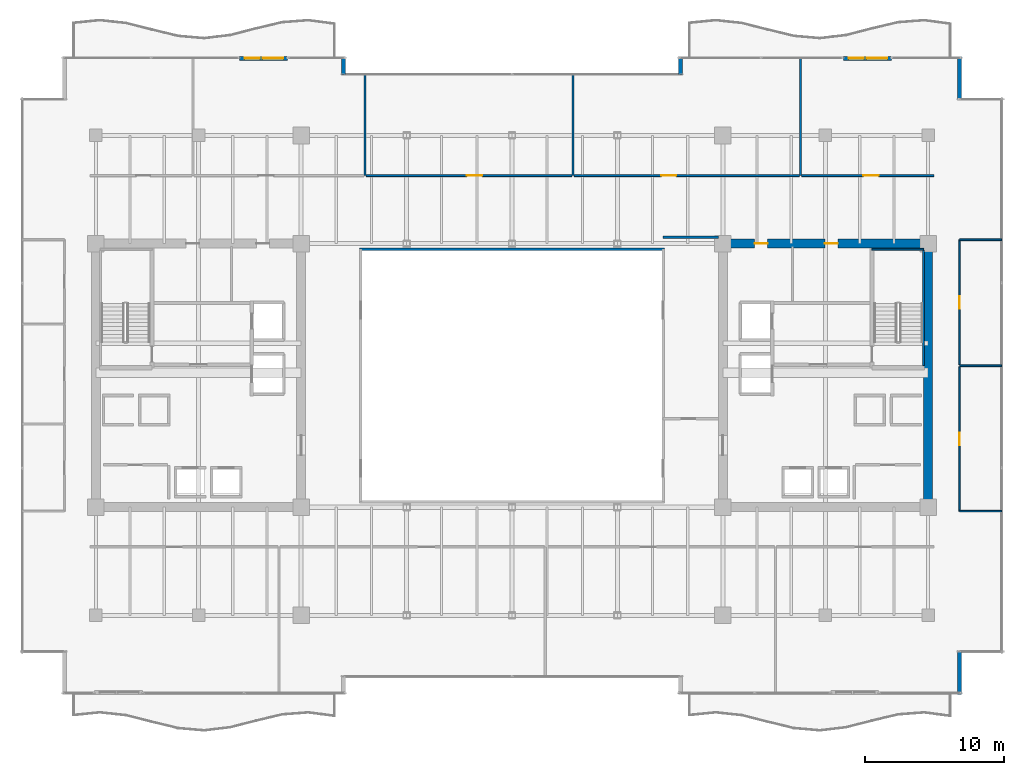
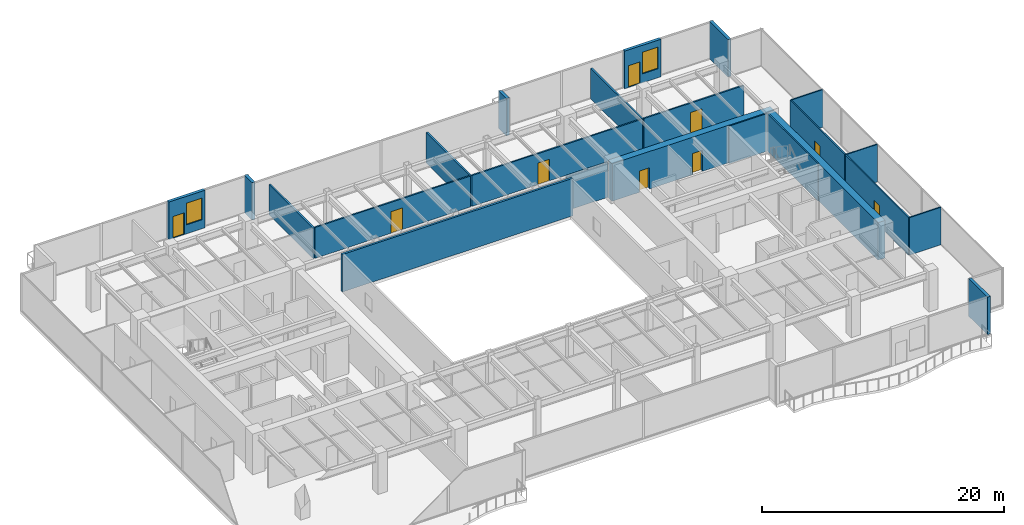
# One storey, part 26 of 30: 23 walls, 9 doors, 2 windows, 11 openings.
"""IFC4 building model written with IfcOpenShell, lengths in metres."""

from ifc_helpers import new_model, si_unit, direction, frame, frame_2d, origin, place, context, subcontext, project, spatial, rectangle, extrude, source, transform, mapped, material, layer, layer_set, type_object, type_shapes, element, fill, save


model = new_model("IFC4")

# Units and contexts
model_context = context("Model", 3, precision=1e-05, world=origin(), true_north=direction((0.0, 1.0)))
body_context = subcontext(model_context, "Body", "Model", "MODEL_VIEW")
ifc_project = project(units=[si_unit("LENGTHUNIT", "METRE"), si_unit("AREAUNIT", "SQUARE_METRE"), si_unit("VOLUMEUNIT", "CUBIC_METRE"), si_unit("PLANEANGLEUNIT", "RADIAN"), si_unit("MASSUNIT", "GRAM", prefix="KILO")], contexts=[model_context])

# Site, building, storey
site_placement = place(None, origin())
site = spatial("IfcSite", under=ifc_project, at=site_placement, CompositionType="ELEMENT")
building_placement = place(site_placement, origin())
building = spatial("IfcBuilding", under=site, at=building_placement, Name="Haelvirn Gate Laboratories", CompositionType="ELEMENT")
storey_placement = place(building_placement, frame((0.0, 0.0, 113.300048828125)))
storey = spatial("IfcBuildingStorey", under=building, at=storey_placement, Name="L27", CompositionType="ELEMENT", Elevation=113.300048828125)

# Wall, openings, door, window
ifc_material_1 = material(Name="Thermally-broken bronze aluminium rainscreen & mineral wool", Category="aluminium")
ifc_layer_1 = layer(ifc_material_1, 0.280029296875, Name="EW-TERR-280")
ifc_layer_set_1 = layer_set([ifc_layer_1], Name="Thermally-broken bronze aluminium rainscreen & mineral wool")
wall_type_1 = type_object("IfcWallType", Name="EW-TERR-280", PredefinedType="STANDARD", material=ifc_layer_set_1)
wall_1_placement = place(storey_placement, frame((17.7470703125, 47.159912109375, 0.0), z_axis=(0.0, 0.0, 1.0), x_axis=(1.0, 0.0, 0.0)))
wall_1 = element("IfcWall", 1, at=wall_1_placement, inside=storey, type_object=wall_type_1, Name="L27 Terrace Access Wall WB-WL-N", PredefinedType="STANDARD", context=body_context, shape_type="SweptSolid", body=[
    extrude(rectangle(XDim=3.455810546875, YDim=0.280029296875, at=frame_2d((1.72802734375, 0.0))), origin(), (0.0, 0.0, 1.0), 3.7900390625),
])
opening_1_placement = place(wall_1_placement, frame((0.3779296875, 0.0, 0.0)))
opening_1 = element("IfcOpeningElement", 2, at=opening_1_placement, cuts=wall_1, Name="Opening TD1", PredefinedType="OPENING", context=body_context, shape_type="SweptSolid", body=[
    extrude(rectangle(XDim=1.10009765625, YDim=2.199951171875, at=frame_2d((0.550048828125, 1.10009765625))), frame((0.0, 0.14990234375, 0.0), z_axis=(0.0, -1.0, 0.0), x_axis=(1.0, 0.0, 0.0)), (0.0, 0.0, 1.0), 0.300048828125),
])
opening_2_placement = place(wall_1_placement, frame((1.677978515625, 0.0, 0.89990234375)))
opening_2 = element("IfcOpeningElement", 3, at=opening_2_placement, cuts=wall_1, Name="Opening W3", PredefinedType="OPENING", context=body_context, shape_type="SweptSolid", body=[
    extrude(rectangle(XDim=1.5, YDim=2.199951171875, at=frame_2d((0.75, 1.10009765625))), frame((0.0, 0.14990234375, 0.0), z_axis=(0.0, -1.0, 0.0), x_axis=(1.0, 0.0, 0.0)), (0.0, 0.0, 1.0), 0.300048828125),
])
ifc_material_2 = material(Name="Thermally-broken bronze aluminium glazed terrace door", Category="aluminium")
door_type_1 = type_object("IfcDoorType", Name="DR-TERR-1100", OperationType="NOTDEFINED", PredefinedType="DOOR", material=ifc_material_2)
shared_shape_1 = source(origin(), body_context, "Body", "SweptSolid", [
    extrude(rectangle(XDim=1.10009765625, YDim=2.199951171875, at=frame_2d((0.550048828125, 1.10009765625))), frame((0.0, 0.02490234375, 0.0), z_axis=(0.0, -1.0, 0.0), x_axis=(1.0, 0.0, 0.0)), (0.0, 0.0, 1.0), 0.050048828125),
])
type_shapes(door_type_1, [shared_shape_1])
door_1_placement = place(opening_1_placement, origin())
door_1 = element("IfcDoor", 4, at=door_1_placement, inside=storey, type_object=door_type_1, Name="L27 Terrace Access Door WB-WL-N", OperationType="SINGLE_SWING_RIGHT", OverallHeight=2.199951171875, OverallWidth=1.10009765625, PredefinedType="DOOR", context=body_context, shape_type="MappedRepresentation", body=[
    mapped(shared_shape_1, transform((0.0, 0.0, 0.0), scale=1.0)),
])
fill(opening_1, door_1)
ifc_material_3 = material(Name="Bronze anodised aluminium & triple low-E glass", Category="aluminium")
window_type = type_object("IfcWindowType", Name="WIN-TERR-1600", PartitioningType="SINGLE_PANEL", PredefinedType="WINDOW", material=ifc_material_3)
shared_shape_2 = source(origin(), body_context, "Body", "SweptSolid", [
    extrude(rectangle(XDim=1.5, YDim=2.199951171875, at=frame_2d((0.75, 1.10009765625))), frame((0.0, 0.030029296875, 0.0), z_axis=(0.0, -1.0, 0.0), x_axis=(1.0, 0.0, 0.0)), (0.0, 0.0, 1.0), 0.06005859375),
])
type_shapes(window_type, [shared_shape_2])
window_1_placement = place(opening_2_placement, origin())
window_1 = element("IfcWindow", 5, at=window_1_placement, inside=storey, type_object=window_type, Name="L27 Terrace Vision Window WB-WL-N", OverallHeight=2.199951171875, OverallWidth=1.5, PartitioningType="SINGLE_PANEL", PredefinedType="WINDOW", context=body_context, shape_type="MappedRepresentation", body=[
    mapped(shared_shape_2, transform((0.0, 0.0, 0.0), scale=1.0)),
])
fill(opening_2, window_1)

wall_2_placement = place(storey_placement, frame((61.281982421875, 47.159912109375, 0.0), z_axis=(0.0, 0.0, 1.0), x_axis=(1.0, 0.0, 0.0)))
wall_2 = element("IfcWall", 6, at=wall_2_placement, inside=storey, type_object=wall_type_1, Name="L27 Terrace Access Wall WB-EL-N", PredefinedType="STANDARD", context=body_context, shape_type="SweptSolid", body=[
    extrude(rectangle(XDim=3.4609375, YDim=0.280029296875, at=frame_2d((1.73046875, 0.0))), origin(), (0.0, 0.0, 1.0), 3.7900390625),
])
opening_3_placement = place(wall_2_placement, frame((0.3779296875, 0.0, 0.0)))
opening_3 = element("IfcOpeningElement", 7, at=opening_3_placement, cuts=wall_2, Name="Opening TD1", PredefinedType="OPENING", context=body_context, shape_type="SweptSolid", body=[
    extrude(rectangle(XDim=1.10009765625, YDim=2.199951171875, at=frame_2d((0.550048828125, 1.10009765625))), frame((0.0, 0.14990234375, 0.0), z_axis=(0.0, -1.0, 0.0), x_axis=(1.0, 0.0, 0.0)), (0.0, 0.0, 1.0), 0.300048828125),
])
opening_4_placement = place(wall_2_placement, frame((1.677978515625, 0.0, 0.89990234375)))
opening_4 = element("IfcOpeningElement", 8, at=opening_4_placement, cuts=wall_2, Name="Opening W3", PredefinedType="OPENING", context=body_context, shape_type="SweptSolid", body=[
    extrude(rectangle(XDim=1.5, YDim=2.199951171875, at=frame_2d((0.75, 1.10009765625))), frame((0.0, 0.14990234375, 0.0), z_axis=(0.0, -1.0, 0.0), x_axis=(1.0, 0.0, 0.0)), (0.0, 0.0, 1.0), 0.300048828125),
])
door_2_placement = place(opening_3_placement, origin())
door_2 = element("IfcDoor", 9, at=door_2_placement, inside=storey, type_object=door_type_1, Name="L27 Terrace Access Door WB-EL-N", OperationType="SINGLE_SWING_RIGHT", OverallHeight=2.199951171875, OverallWidth=1.10009765625, PredefinedType="DOOR", context=body_context, shape_type="MappedRepresentation", body=[
    mapped(shared_shape_1, transform((0.0, 0.0, 0.0), scale=1.0)),
])
fill(opening_3, door_2)
window_2_placement = place(opening_4_placement, origin())
window_2 = element("IfcWindow", 10, at=window_2_placement, inside=storey, type_object=window_type, Name="L27 Terrace Vision Window WB-EL-N", OverallHeight=2.199951171875, OverallWidth=1.5, PartitioningType="SINGLE_PANEL", PredefinedType="WINDOW", context=body_context, shape_type="MappedRepresentation", body=[
    mapped(shared_shape_2, transform((0.0, 0.0, 0.0), scale=1.0)),
])
fill(opening_4, window_2)

# Walls
wall_3_placement = place(storey_placement, frame((69.659912109375, 1.300048828125, 0.0), z_axis=(0.0, 0.0, 1.0), x_axis=(0.0, 1.0, 0.0)))
element("IfcWall", 11, at=wall_3_placement, inside=storey, type_object=wall_type_1, Name="L27 Atrium Recess Bronze Return Wall 05", PredefinedType="STANDARD", context=body_context, shape_type="SweptSolid", body=[
    extrude(rectangle(XDim=3.087890625, YDim=0.280029296875, at=frame_2d((1.5439453125, 0.0))), origin(), (0.0, 0.0, 1.0), 3.7900390625),
])
wall_4_placement = place(storey_placement, frame((69.659912109375, 44.2119140625, 0.0), z_axis=(0.0, 0.0, 1.0), x_axis=(0.0, 1.0, 0.0)))
element("IfcWall", 12, at=wall_4_placement, inside=storey, type_object=wall_type_1, Name="L27 Atrium Recess Bronze Return Wall 09", PredefinedType="STANDARD", context=body_context, shape_type="SweptSolid", body=[
    extrude(rectangle(XDim=3.088134765625, YDim=0.280029296875, at=frame_2d((1.5439453125, 0.0))), origin(), (0.0, 0.0, 1.0), 3.7900390625),
])
for number, where, z_axis, x_axis, name in (
    (13, (49.5400390625, 47.300048828125, 0.0), (0.0, 0.0, 1.0), (0.0, -1.0, 0.0), "L27 Atrium Recess Bronze Return Wall 11"),
    (14, (25.260009765625, 46.011962890625, 0.0), (0.0, 0.0, 1.0), (0.0, 1.0, 0.0), "L27 Atrium Recess Bronze Return Wall 13"),
):
    element("IfcWall", number, at=place(storey_placement, frame(where, z_axis=z_axis, x_axis=x_axis)), inside=storey, type_object=wall_type_1, Name=name, PredefinedType="STANDARD", context=body_context, shape_type="SweptSolid", body=[
        extrude(rectangle(XDim=1.2880859375, YDim=0.280029296875, at=frame_2d((0.64404296875, 0.0))), origin(), (0.0, 0.0, 1.0), 3.7900390625),
    ])
ifc_material_4 = material(Name="Double-layer acoustic gypsum laboratory partition", Category="gypsum")
ifc_layer_2 = layer(ifc_material_4, 0.159912109375, Name="IW-ACOUST-160")
ifc_layer_set_2 = layer_set([ifc_layer_2], Name="Double-layer acoustic gypsum laboratory partition")
wall_type_2 = type_object("IfcWallType", Name="IW-ACOUST-160", PredefinedType="PARTITIONING", material=ifc_layer_set_2)
for number, where, z_axis, x_axis, name in (
    (15, (26.800048828125, 38.705078125, 0.0), (0.0, 0.0, 1.0), (0.0, 1.0, 0.0), "L27 Interior Wall IW-L27-NDIV-02"),
    (16, (41.800048828125, 38.705078125, 0.0), (0.0, 0.0, 1.0), (0.0, 1.0, 0.0), "L27 Interior Wall IW-L27-NDIV-03"),
):
    element("IfcWall", number, at=place(storey_placement, frame(where, z_axis=z_axis, x_axis=x_axis)), inside=storey, type_object=wall_type_2, Name=name, PredefinedType="PARTITIONING", context=body_context, shape_type="SweptSolid", body=[
        extrude(rectangle(XDim=7.284912109375, YDim=0.159912109375, at=frame_2d((3.642578125, 0.0))), origin(), (0.0, 0.0, 1.0), 3.074951171875),
    ])
wall_5_placement = place(storey_placement, frame((58.199951171875, 38.705078125, 0.0), z_axis=(0.0, 0.0, 1.0), x_axis=(0.0, 1.0, 0.0)))
element("IfcWall", 17, at=wall_5_placement, inside=storey, type_object=wall_type_2, Name="L27 Interior Wall IW-L27-NDIV-04", PredefinedType="PARTITIONING", context=body_context, shape_type="SweptSolid", body=[
    extrude(rectangle(XDim=8.48486328125, YDim=0.159912109375, at=frame_2d((4.242431640625, 0.0))), origin(), (0.0, 0.0, 1.0), 3.074951171875),
])
ifc_material_5 = material(Name="Fire-rated acoustic gypsum board partition", Category="gypsum")
ifc_layer_3 = layer(ifc_material_5, 0.175048828125, Name="IW-ACOUST-180")
ifc_layer_set_3 = layer_set([ifc_layer_3], Name="Fire-rated acoustic gypsum board partition")
wall_type_3 = type_object("IfcWallType", Name="IW-ACOUST-180", PredefinedType="PARTITIONING", material=ifc_layer_set_3)
wall_6_placement = place(storey_placement, frame((48.300048828125, 34.260009765625, 0.0), z_axis=(0.0, 0.0, 1.0), x_axis=(1.0, 0.0, 0.0)))
element("IfcWall", 18, at=wall_6_placement, inside=storey, type_object=wall_type_3, Name="L27 Interior Wall IW-L27-ASEM-N", PredefinedType="PARTITIONING", context=body_context, shape_type="SweptSolid", body=[
    extrude(rectangle(XDim=3.974853515625, YDim=0.175048828125, at=frame_2d((1.9873046875, 0.0))), origin(), (0.0, 0.0, 1.0), 3.474853515625),
])
ifc_material_6 = material(Name="Tempered fire-rated borosilicate glass & anodised aluminium", Category="aluminium")
ifc_layer_4 = layer(ifc_material_6, 0.195068359375, Name="IW-GLAZ-200")
ifc_layer_set_4 = layer_set([ifc_layer_4], Name="Tempered fire-rated borosilicate glass & anodised aluminium")
wall_type_4 = type_object("IfcWallType", Name="IW-GLAZ-200", PredefinedType="SOLIDWALL", material=ifc_layer_set_4)
wall_7_placement = place(storey_placement, frame((26.39990234375, 33.39990234375, 0.0), z_axis=(0.0, 0.0, 1.0), x_axis=(1.0, 0.0, 0.0)))
element("IfcWall", 19, at=wall_7_placement, inside=storey, type_object=wall_type_4, Name="L27 Interior Wall IW-L27-ATRIUM-N", PredefinedType="SOLIDWALL", context=body_context, shape_type="SweptSolid", body=[
    extrude(rectangle(XDim=22.0, YDim=0.195068359375, at=frame_2d((11.0, 0.0))), origin(), (0.0, 0.0, 1.0), 3.7900390625),
])
ifc_material_7 = material(Name="Lightweight acoustic gypsum board partition", Category="gypsum")
ifc_layer_5 = layer(ifc_material_7, 0.1201171875, Name="IW-PART-120")
ifc_layer_set_5 = layer_set([ifc_layer_5], Name="Lightweight acoustic gypsum board partition")
wall_type_5 = type_object("IfcWallType", Name="IW-PART-120", PredefinedType="PARTITIONING", material=ifc_layer_set_5)
for number, where, z_axis, x_axis, name in (
    (20, (69.669921875, 14.514892578125, 0.0), (0.0, 0.0, 1.0), (1.0, 0.0, 0.0), "L27 Interior Wall IW-L27-ECAP-S"),
    (21, (69.669921875, 34.0849609375, 0.0), (0.0, 0.0, 1.0), (1.0, 0.0, 0.0), "L27 Interior Wall IW-L27-ECAP-N"),
):
    element("IfcWall", number, at=place(storey_placement, frame(where, z_axis=z_axis, x_axis=x_axis)), inside=storey, type_object=wall_type_5, Name=name, PredefinedType="PARTITIONING", context=body_context, shape_type="SweptSolid", body=[
        extrude(rectangle(XDim=3.02001953125, YDim=0.1201171875, at=frame_2d((1.510009765625, 0.0))), origin(), (0.0, 0.0, 1.0), 3.7900390625),
    ])

# Wall, opening, door
wall_8_placement = place(storey_placement, frame((69.669921875, 14.514892578125, 0.0), z_axis=(0.0, 0.0, 1.0), x_axis=(0.0, 1.0, 0.0)))
wall_8 = element("IfcWall", 22, at=wall_8_placement, inside=storey, type_object=wall_type_5, Name="L27 Interior Wall IW-L27-EPASS-01", PredefinedType="PARTITIONING", context=body_context, shape_type="SweptSolid", body=[
    extrude(rectangle(XDim=10.425048828125, YDim=0.1201171875, at=frame_2d((5.21240234375, 0.0))), origin(), (0.0, 0.0, 1.0), 3.7900390625),
])
opening_5_placement = place(wall_8_placement, frame((4.762451171875, 0.0, 0.0)))
opening_5 = element("IfcOpeningElement", 23, at=opening_5_placement, cuts=wall_8, Name="Opening D4", PredefinedType="OPENING", context=body_context, shape_type="SweptSolid", body=[
    extrude(rectangle(XDim=0.89990234375, YDim=2.10009765625, at=frame_2d((0.449951171875, 1.050048828125))), frame((0.0, 0.070068359375, 0.0), z_axis=(0.0, -1.0, 0.0), x_axis=(1.0, 0.0, 0.0)), (0.0, 0.0, 1.0), 0.14013671875),
])
ifc_material_8 = material(Name="Glazed aluminium-framed write-up door", Category="aluminium")
door_type_2 = type_object("IfcDoorType", Name="DR-OFF-900", OperationType="NOTDEFINED", PredefinedType="DOOR", material=ifc_material_8)
shared_shape_3 = source(origin(), body_context, "Body", "SweptSolid", [
    extrude(rectangle(XDim=0.89990234375, YDim=2.10009765625, at=frame_2d((0.449951171875, 1.050048828125))), frame((0.0, 0.02490234375, 0.0), z_axis=(0.0, -1.0, 0.0), x_axis=(1.0, 0.0, 0.0)), (0.0, 0.0, 1.0), 0.050048828125),
])
type_shapes(door_type_2, [shared_shape_3])
door_3_placement = place(opening_5_placement, origin())
door_3 = element("IfcDoor", 24, at=door_3_placement, inside=storey, type_object=door_type_2, Name="L27 Genomics Assay Laboratory Door E1", OperationType="SINGLE_SWING_LEFT", OverallHeight=2.10009765625, OverallWidth=0.89990234375, PredefinedType="DOOR", context=body_context, shape_type="MappedRepresentation", body=[
    mapped(shared_shape_3, transform((0.0, 0.0, 0.0), scale=1.0)),
])
fill(opening_5, door_3)

# Wall
wall_9_placement = place(storey_placement, frame((69.669921875, 25.0, 0.0), z_axis=(0.0, 0.0, 1.0), x_axis=(1.0, 0.0, 0.0)))
element("IfcWall", 25, at=wall_9_placement, inside=storey, type_object=wall_type_5, Name="L27 Interior Wall IW-L27-EDIV-01", PredefinedType="PARTITIONING", context=body_context, shape_type="SweptSolid", body=[
    extrude(rectangle(XDim=3.02001953125, YDim=0.1201171875, at=frame_2d((1.510009765625, 0.0))), origin(), (0.0, 0.0, 1.0), 3.7900390625),
])

# Wall, opening, door
wall_10_placement = place(storey_placement, frame((69.669921875, 25.06005859375, 0.0), z_axis=(0.0, 0.0, 1.0), x_axis=(0.0, 1.0, 0.0)))
wall_10 = element("IfcWall", 26, at=wall_10_placement, inside=storey, type_object=wall_type_5, Name="L27 Interior Wall IW-L27-EPASS-02", PredefinedType="PARTITIONING", context=body_context, shape_type="SweptSolid", body=[
    extrude(rectangle(XDim=9.02490234375, YDim=0.1201171875, at=frame_2d((4.512451171875, 0.0))), origin(), (0.0, 0.0, 1.0), 3.7900390625),
])
opening_6_placement = place(wall_10_placement, frame((4.0625, 0.0, 0.0)))
opening_6 = element("IfcOpeningElement", 27, at=opening_6_placement, cuts=wall_10, Name="Opening D4", PredefinedType="OPENING", context=body_context, shape_type="SweptSolid", body=[
    extrude(rectangle(XDim=0.89990234375, YDim=2.10009765625, at=frame_2d((0.449951171875, 1.050048828125))), frame((0.0, 0.070068359375, 0.0), z_axis=(0.0, -1.0, 0.0), x_axis=(1.0, 0.0, 0.0)), (0.0, 0.0, 1.0), 0.14013671875),
])
door_4_placement = place(opening_6_placement, origin())
door_4 = element("IfcDoor", 28, at=door_4_placement, inside=storey, type_object=door_type_2, Name="L27 Proteomics Mass-Spec Laboratory Door E2", OperationType="SINGLE_SWING_RIGHT", OverallHeight=2.10009765625, OverallWidth=0.89990234375, PredefinedType="DOOR", context=body_context, shape_type="MappedRepresentation", body=[
    mapped(shared_shape_3, transform((0.0, 0.0, 0.0), scale=1.0)),
])
fill(opening_6, door_4)

ifc_material_9 = material(Name="Acoustic mineral-wool gypsum board partition", Category="gypsum")
ifc_layer_6 = layer(ifc_material_9, 0.139892578125, Name="IW-PART-140")
ifc_layer_set_6 = layer_set([ifc_layer_6], Name="Acoustic mineral-wool gypsum board partition")
wall_type_6 = type_object("IfcWallType", Name="IW-PART-140", PredefinedType="PARTITIONING", material=ifc_layer_set_6)
wall_11_placement = place(storey_placement, frame((26.8798828125, 38.705078125, 0.0), z_axis=(0.0, 0.0, 1.0), x_axis=(1.0, 0.0, 0.0)))
wall_11 = element("IfcWall", 29, at=wall_11_placement, inside=storey, type_object=wall_type_6, Name="L27 Interior Wall IW-L27-NCORR-03", PredefinedType="PARTITIONING", context=body_context, shape_type="SweptSolid", body=[
    extrude(rectangle(XDim=14.840087890625, YDim=0.139892578125, at=frame_2d((7.419921875, 0.0))), origin(), (0.0, 0.0, 1.0), 3.125),
])
opening_7_placement = place(wall_11_placement, frame((7.26123046875, 0.0, 0.0)))
opening_7 = element("IfcOpeningElement", 30, at=opening_7_placement, cuts=wall_11, Name="Opening D1", PredefinedType="OPENING", context=body_context, shape_type="SweptSolid", body=[
    extrude(rectangle(XDim=1.10009765625, YDim=2.179931640625, at=frame_2d((0.550048828125, 1.08984375))), frame((0.0, 0.080078125, 0.0), z_axis=(0.0, -1.0, 0.0), x_axis=(1.0, 0.0, 0.0)), (0.0, 0.0, 1.0), 0.159912109375),
])
ifc_material_10 = material(Name="Vision-panel acoustic solid-core timber lab door", Category="wood")
door_type_3 = type_object("IfcDoorType", Name="DR-LAB-1100", OperationType="NOTDEFINED", PredefinedType="DOOR", material=ifc_material_10)
shared_shape_4 = source(origin(), body_context, "Body", "SweptSolid", [
    extrude(rectangle(XDim=1.10009765625, YDim=2.179931640625, at=frame_2d((0.550048828125, 1.08984375))), frame((0.0, 0.02490234375, 0.0), z_axis=(0.0, -1.0, 0.0), x_axis=(1.0, 0.0, 0.0)), (0.0, 0.0, 1.0), 0.050048828125),
])
type_shapes(door_type_3, [shared_shape_4])
door_5_placement = place(opening_7_placement, origin())
door_5 = element("IfcDoor", 31, at=door_5_placement, inside=storey, type_object=door_type_3, Name="L27 Protocol Briefing Training Room Door N3", OperationType="SINGLE_SWING_LEFT", OverallHeight=2.179931640625, OverallWidth=1.10009765625, PredefinedType="DOOR", context=body_context, shape_type="MappedRepresentation", body=[
    mapped(shared_shape_4, transform((0.0, 0.0, 0.0), scale=1.0)),
])
fill(opening_7, door_5)

wall_12_placement = place(storey_placement, frame((41.8798828125, 38.705078125, 0.0), z_axis=(0.0, 0.0, 1.0), x_axis=(1.0, 0.0, 0.0)))
wall_12 = element("IfcWall", 32, at=wall_12_placement, inside=storey, type_object=wall_type_6, Name="L27 Interior Wall IW-L27-NCORR-04", PredefinedType="PARTITIONING", context=body_context, shape_type="SweptSolid", body=[
    extrude(rectangle(XDim=16.240234375, YDim=0.139892578125, at=frame_2d((8.1201171875, 0.0))), origin(), (0.0, 0.0, 1.0), 3.125),
])
opening_8_placement = place(wall_12_placement, frame((6.2705078125, 0.0, 0.0)))
opening_8 = element("IfcOpeningElement", 33, at=opening_8_placement, cuts=wall_12, Name="Opening D1", PredefinedType="OPENING", context=body_context, shape_type="SweptSolid", body=[
    extrude(rectangle(XDim=1.10009765625, YDim=2.179931640625, at=frame_2d((0.550048828125, 1.08984375))), frame((0.0, 0.080078125, 0.0), z_axis=(0.0, -1.0, 0.0), x_axis=(1.0, 0.0, 0.0)), (0.0, 0.0, 1.0), 0.159912109375),
])
door_6_placement = place(opening_8_placement, origin())
door_6 = element("IfcDoor", 34, at=door_6_placement, inside=storey, type_object=door_type_3, Name="L27 Peer-Review Seminar Room Door N4", OperationType="SINGLE_SWING_RIGHT", OverallHeight=2.179931640625, OverallWidth=1.10009765625, PredefinedType="DOOR", context=body_context, shape_type="MappedRepresentation", body=[
    mapped(shared_shape_4, transform((0.0, 0.0, 0.0), scale=1.0)),
])
fill(opening_8, door_6)

wall_13_placement = place(storey_placement, frame((58.280029296875, 38.705078125, 0.0), z_axis=(0.0, 0.0, 1.0), x_axis=(1.0, 0.0, 0.0)))
wall_13 = element("IfcWall", 35, at=wall_13_placement, inside=storey, type_object=wall_type_6, Name="L27 Interior Wall IW-L27-NCORR-05", PredefinedType="PARTITIONING", context=body_context, shape_type="SweptSolid", body=[
    extrude(rectangle(XDim=9.5400390625, YDim=0.139892578125, at=frame_2d((4.77001953125, 0.0))), origin(), (0.0, 0.0, 1.0), 3.125),
])
opening_9_placement = place(wall_13_placement, frame((4.4521484375, 0.0, 0.0)))
opening_9 = element("IfcOpeningElement", 36, at=opening_9_placement, cuts=wall_13, Name="Opening D1", PredefinedType="OPENING", context=body_context, shape_type="SweptSolid", body=[
    extrude(rectangle(XDim=1.10009765625, YDim=2.179931640625, at=frame_2d((0.550048828125, 1.08984375))), frame((0.0, 0.080078125, 0.0), z_axis=(0.0, -1.0, 0.0), x_axis=(1.0, 0.0, 0.0)), (0.0, 0.0, 1.0), 0.159912109375),
])
door_7_placement = place(opening_9_placement, origin())
door_7 = element("IfcDoor", 37, at=door_7_placement, inside=storey, type_object=door_type_3, Name="L27 Researcher Break Pantry Door N5", OperationType="SINGLE_SWING_LEFT", OverallHeight=2.179931640625, OverallWidth=1.10009765625, PredefinedType="DOOR", context=body_context, shape_type="MappedRepresentation", body=[
    mapped(shared_shape_4, transform((0.0, 0.0, 0.0), scale=1.0)),
])
fill(opening_9, door_7)

# Wall, openings, doors
ifc_material_11 = material(Name="Concrete C60/75", Category="concrete")
ifc_layer_7 = layer(ifc_material_11, 0.64990234375, Name="SW-CORE-650")
ifc_layer_set_7 = layer_set([ifc_layer_7], Name="Concrete C60/75")
wall_type_7 = type_object("IfcWallType", Name="SW-CORE-650", PredefinedType="SHEAR", material=ifc_layer_set_7)
wall_14_placement = place(storey_placement, frame((52.27490234375, 33.800048828125, 0.0), z_axis=(0.0, 0.0, 1.0), x_axis=(1.0, 0.0, 0.0)))
wall_14 = element("IfcWall", 38, at=wall_14_placement, inside=storey, type_object=wall_type_7, Name="L27 E Core Shear Wall N", PredefinedType="SHEAR", context=body_context, shape_type="SweptSolid", body=[
    extrude(rectangle(XDim=15.4501953125, YDim=0.64990234375, at=frame_2d((7.72509765625, 0.0))), origin(), (0.0, 0.0, 1.0), 3.7900390625),
])
opening_10_placement = place(wall_14_placement, frame((7.675048828125, 0.0, 0.0)))
opening_10 = element("IfcOpeningElement", 39, at=opening_10_placement, cuts=wall_14, Name="Opening FD4", PredefinedType="OPENING", context=body_context, shape_type="SweptSolid", body=[
    extrude(rectangle(XDim=0.949951171875, YDim=2.14990234375, at=frame_2d((0.47509765625, 1.074951171875))), frame((0.0, 0.3349609375, 0.0), z_axis=(0.0, -1.0, 0.0), x_axis=(1.0, 0.0, 0.0)), (0.0, 0.0, 1.0), 0.669921875),
])
opening_11_placement = place(wall_14_placement, frame((2.610107421875, 0.0, 0.0)))
opening_11 = element("IfcOpeningElement", 40, at=opening_11_placement, cuts=wall_14, Name="Opening FD4", PredefinedType="OPENING", context=body_context, shape_type="SweptSolid", body=[
    extrude(rectangle(XDim=0.949951171875, YDim=2.14990234375, at=frame_2d((0.47509765625, 1.074951171875))), frame((0.0, 0.3349609375, 0.0), z_axis=(0.0, -1.0, 0.0), x_axis=(1.0, 0.0, 0.0)), (0.0, 0.0, 1.0), 0.669921875),
])
ifc_material_12 = material(Name="Fire-rated steel SM355 core service door", Category="steel")
door_type_4 = type_object("IfcDoorType", Name="DR-FD-950", OperationType="NOTDEFINED", PredefinedType="DOOR", material=ifc_material_12)
shared_shape_5 = source(origin(), body_context, "Body", "SweptSolid", [
    extrude(rectangle(XDim=0.949951171875, YDim=2.14990234375, at=frame_2d((0.47509765625, 1.074951171875))), frame((0.0, 0.02490234375, 0.0), z_axis=(0.0, -1.0, 0.0), x_axis=(1.0, 0.0, 0.0)), (0.0, 0.0, 1.0), 0.050048828125),
])
type_shapes(door_type_4, [shared_shape_5])
door_8_placement = place(opening_10_placement, origin())
door_8 = element("IfcDoor", 41, at=door_8_placement, inside=storey, type_object=door_type_4, Name="L27 All-Gender Multi-Stall Restroom Fire Door", OperationType="SINGLE_SWING_RIGHT", OverallHeight=2.14990234375, OverallWidth=0.949951171875, PredefinedType="DOOR", context=body_context, shape_type="MappedRepresentation", body=[
    mapped(shared_shape_5, transform((0.0, 0.0, 0.0), scale=1.0)),
])
fill(opening_10, door_8)
door_9_placement = place(opening_11_placement, origin())
door_9 = element("IfcDoor", 42, at=door_9_placement, inside=storey, type_object=door_type_4, Name="L27 Accessible Restroom Fire Door", OperationType="SINGLE_SWING_LEFT", OverallHeight=2.14990234375, OverallWidth=0.949951171875, PredefinedType="DOOR", context=body_context, shape_type="MappedRepresentation", body=[
    mapped(shared_shape_5, transform((0.0, 0.0, 0.0), scale=1.0)),
])
fill(opening_11, door_9)

# Walls
wall_15_placement = place(storey_placement, frame((67.39990234375, 15.125, 0.0), z_axis=(0.0, 0.0, 1.0), x_axis=(0.0, 1.0, 0.0)))
element("IfcWall", 43, at=wall_15_placement, inside=storey, type_object=wall_type_7, Name="L27 E Core Shear Wall E", PredefinedType="SHEAR", context=body_context, shape_type="SweptSolid", body=[
    extrude(rectangle(XDim=18.35009765625, YDim=0.64990234375, at=frame_2d((9.175048828125, 0.0))), origin(), (0.0, 0.0, 1.0), 3.7900390625),
])
ifc_material_13 = material(Name="Concrete C50/60", Category="concrete")
ifc_layer_8 = layer(ifc_material_13, 0.1201171875, Name="SW-LINER-120")
ifc_layer_set_8 = layer_set([ifc_layer_8], Name="Concrete C50/60")
wall_type_8 = type_object("IfcWallType", Name="SW-LINER-120", PredefinedType="SOLIDWALL", material=ifc_layer_set_8)
wall_16_placement = place(storey_placement, frame((63.35009765625, 33.39990234375, 0.0), z_axis=(0.0, 0.0, 1.0), x_axis=(1.0, 0.0, 0.0)))
element("IfcWall", 44, at=wall_16_placement, inside=storey, type_object=wall_type_8, Name="L27 E Core Stair Shaft Liner Wall N", PredefinedType="SOLIDWALL", context=body_context, shape_type="SweptSolid", body=[
    extrude(rectangle(XDim=3.719970703125, YDim=0.1201171875, at=frame_2d((1.85986328125, 0.0))), origin(), (0.0, 0.0, 1.0), 3.7900390625),
])
wall_17_placement = place(storey_placement, frame((67.070068359375, 25.0, 0.0), z_axis=(0.0, 0.0, 1.0), x_axis=(0.0, 1.0, 0.0)))
element("IfcWall", 45, at=wall_17_placement, inside=storey, type_object=wall_type_8, Name="L27 E Core Stair Shaft Liner Wall OUT", PredefinedType="SOLIDWALL", context=body_context, shape_type="SweptSolid", body=[
    extrude(rectangle(XDim=8.320068359375, YDim=0.1201171875, at=frame_2d((4.16015625, 0.0))), origin(), (0.0, 0.0, 1.0), 3.7900390625),
])

save(model, "model.ifc")
